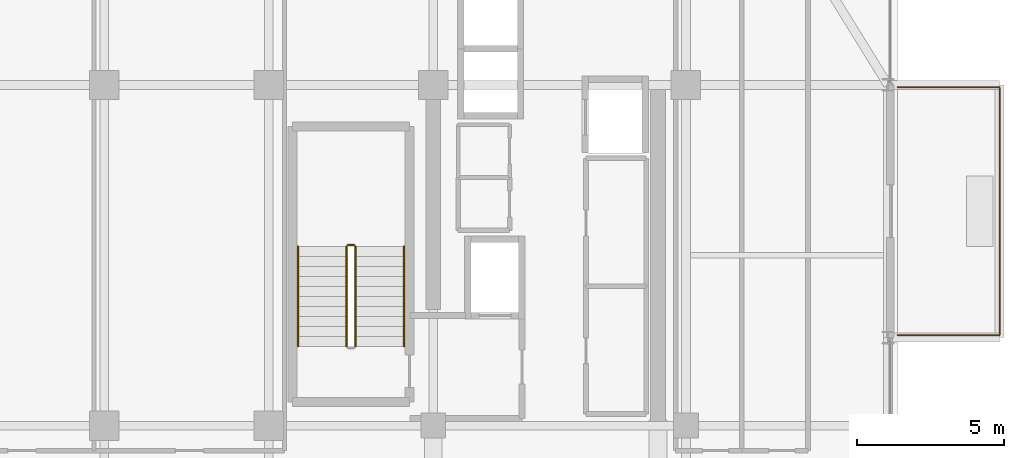
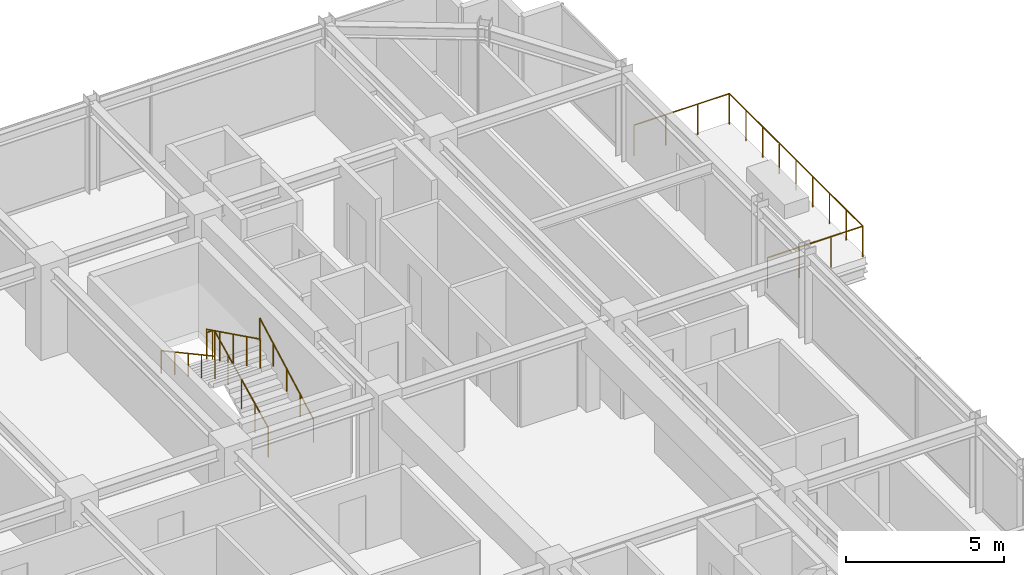
# One storey, part 33 of 34: 6 railings.
"""IFC4 building model written with IfcOpenShell, lengths in metres."""

from ifc_helpers import new_model, si_unit, direction, frame, origin, origin_2d, place, context, subcontext, project, spatial, circle, extrude, material, type_object, element, save


model = new_model("IFC4")

# Units and contexts
model_context = context("Model", 3, precision=1e-05, world=origin(), true_north=direction((0.0, 1.0)))
body_context = subcontext(model_context, "Body", "Model", "MODEL_VIEW")
ifc_project = project(units=[si_unit("LENGTHUNIT", "METRE"), si_unit("AREAUNIT", "SQUARE_METRE"), si_unit("VOLUMEUNIT", "CUBIC_METRE"), si_unit("PLANEANGLEUNIT", "RADIAN"), si_unit("MASSUNIT", "GRAM", prefix="KILO")], contexts=[model_context])

# Site, building, storey
site_placement = place(None, origin())
site = spatial("IfcSite", under=ifc_project, at=site_placement, CompositionType="ELEMENT")
building_placement = place(site_placement, origin())
building = spatial("IfcBuilding", under=site, at=building_placement, Name="Nahalor Promenade Grand Hotel", CompositionType="ELEMENT")
storey_placement = place(building_placement, frame((0.0, 0.0, 208.60009765625)))
storey = spatial("IfcBuildingStorey", under=building, at=storey_placement, Name="L53", CompositionType="ELEMENT", Elevation=208.60009765625)

# Railings
ifc_material_1 = material(Name="Anodised Bronze Aluminium EN AW-6063 T6", Category="aluminium")
railing_type_1 = type_object("IfcRailingType", Name="Bronze Balcony Guardrail 1200 mm", PredefinedType="GUARDRAIL", material=ifc_material_1)
railing_1_placement = place(storey_placement, frame((24.199951171875, 8.47998046875, 0.0)))
element("IfcRailing", 1, at=railing_1_placement, inside=storey, type_object=railing_type_1, Name="L53 Balcony Guardrail 2", PredefinedType="GUARDRAIL", context=body_context, shape_type="SweptSolid", body=[
    extrude(circle(Radius=0.024048, at=origin_2d()), frame((0.0, 0.0, 1.17578125), z_axis=(1.0, 0.0, 0.0), x_axis=(0.0, 1.0, 0.0)), (0.0, 0.0, 1.0), 3.47802734375),
    extrude(circle(Radius=0.024048, at=origin_2d()), frame((3.47998046875, 0.001953125, 1.17578125), z_axis=(0.0, 1.0, 0.0), x_axis=(-1.0, 0.0, 0.0)), (0.0, 0.0, 1.0), 8.43603515625),
    extrude(circle(Radius=0.024048, at=origin_2d()), frame((3.47802734375, 8.43994140625, 1.17578125), z_axis=(-1.0, 0.0, 0.0), x_axis=(0.0, -1.0, 0.0)), (0.0, 0.0, 1.0), 3.47802734375),
    extrude(circle(Radius=0.020996, at=origin_2d()), origin(), (0.0, 0.0, 1.0), 1.14990234375),
    extrude(circle(Radius=0.020996, at=origin_2d()), frame((1.159912109375, 0.0, 0.0)), (0.0, 0.0, 1.0), 1.14990234375),
    extrude(circle(Radius=0.020996, at=origin_2d()), frame((2.320068359375, 0.0, 0.0)), (0.0, 0.0, 1.0), 1.14990234375),
    extrude(circle(Radius=0.020996, at=origin_2d()), frame((3.47998046875, 0.0, 0.0)), (0.0, 0.0, 1.0), 1.14990234375),
    extrude(circle(Radius=0.020996, at=origin_2d()), frame((3.47998046875, 1.054931640625, 0.0)), (0.0, 0.0, 1.0), 1.14990234375),
    extrude(circle(Radius=0.020996, at=origin_2d()), frame((3.47998046875, 2.10986328125, 0.0)), (0.0, 0.0, 1.0), 1.14990234375),
    extrude(circle(Radius=0.020996, at=origin_2d()), frame((3.47998046875, 3.1650390625, 0.0)), (0.0, 0.0, 1.0), 1.14990234375),
    extrude(circle(Radius=0.020996, at=origin_2d()), frame((3.47998046875, 4.219970703125, 0.0)), (0.0, 0.0, 1.0), 1.14990234375),
    extrude(circle(Radius=0.020996, at=origin_2d()), frame((3.47998046875, 5.27490234375, 0.0)), (0.0, 0.0, 1.0), 1.14990234375),
    extrude(circle(Radius=0.020996, at=origin_2d()), frame((3.47998046875, 6.330078125, 0.0)), (0.0, 0.0, 1.0), 1.14990234375),
    extrude(circle(Radius=0.020996, at=origin_2d()), frame((3.47998046875, 7.385009765625, 0.0)), (0.0, 0.0, 1.0), 1.14990234375),
    extrude(circle(Radius=0.020996, at=origin_2d()), frame((3.47998046875, 8.43994140625, 0.0)), (0.0, 0.0, 1.0), 1.14990234375),
    extrude(circle(Radius=0.020996, at=origin_2d()), frame((2.320068359375, 8.43994140625, 0.0)), (0.0, 0.0, 1.0), 1.14990234375),
    extrude(circle(Radius=0.020996, at=origin_2d()), frame((1.159912109375, 8.43994140625, 0.0)), (0.0, 0.0, 1.0), 1.14990234375),
    extrude(circle(Radius=0.020996, at=origin_2d()), frame((0.0, 8.43994140625, 0.0)), (0.0, 0.0, 1.0), 1.14990234375),
])
ifc_material_2 = material(Name="Steel S355JR", Category="steel")
railing_type_2 = type_object("IfcRailingType", Name="Steel Stair Guardrail 1150 mm", PredefinedType="GUARDRAIL", material=ifc_material_2)
railing_2_placement = place(storey_placement, frame((5.75, 8.10009765625, 0.16796875)))
element("IfcRailing", 2, at=railing_2_placement, inside=storey, type_object=railing_type_2, Name="L53 ST1 stair guard 1", PredefinedType="GUARDRAIL", context=body_context, shape_type="SweptSolid", body=[
    extrude(circle(Radius=0.024048, at=origin_2d()), frame((0.0, 0.0, 1.1259765625), z_axis=(0.0, 0.896324230515, 0.443399226197), x_axis=(-1.0, 0.0, 0.0)), (0.0, 0.0, 1.0), 3.793212890625),
    extrude(circle(Radius=0.020996, at=origin_2d()), origin(), (0.0, 0.0, 1.0), 1.099853515625),
    extrude(circle(Radius=0.020996, at=origin_2d()), frame((0.0, 0.85009765625, 0.42041015625)), (0.0, 0.0, 1.0), 1.099853515625),
    extrude(circle(Radius=0.020996, at=origin_2d()), frame((0.0, 1.699951171875, 0.8408203125)), (0.0, 0.0, 1.0), 1.099853515625),
    extrude(circle(Radius=0.020996, at=origin_2d()), frame((0.0, 2.5498046875, 1.261474609375)), (0.0, 0.0, 1.0), 1.099853515625),
    extrude(circle(Radius=0.020996, at=origin_2d()), frame((0.0, 3.39990234375, 1.681884765625)), (0.0, 0.0, 1.0), 1.099853515625),
])
railing_3_placement = place(storey_placement, frame((5.699951171875, 11.550048828125, 1.849853515625)))
element("IfcRailing", 3, at=railing_3_placement, inside=storey, type_object=railing_type_2, Name="L53 ST1 stair guard 2", PredefinedType="GUARDRAIL", context=body_context, shape_type="SweptSolid", body=[
    extrude(circle(Radius=0.024048, at=origin_2d()), frame((0.0, 0.0, 1.1259765625), z_axis=(-1.0, 0.0, 0.0), x_axis=(0.0, -1.0, 0.0)), (0.0, 0.0, 1.0), 0.199951171875),
    extrude(circle(Radius=0.020996, at=origin_2d()), origin(), (0.0, 0.0, 1.0), 1.099853515625),
    extrude(circle(Radius=0.020996, at=origin_2d()), frame((-0.199951171875, 0.0, 0.0)), (0.0, 0.0, 1.0), 1.099853515625),
])
railing_4_placement = place(storey_placement, frame((5.449951171875, 11.5, 2.01806640625)))
element("IfcRailing", 4, at=railing_4_placement, inside=storey, type_object=railing_type_2, Name="L53 ST1 stair guard 3", PredefinedType="GUARDRAIL", context=body_context, shape_type="SweptSolid", body=[
    extrude(circle(Radius=0.024048, at=origin_2d()), frame((0.0, 0.0, 1.1259765625), z_axis=(0.0, -0.896324230515, 0.443399226197), x_axis=(1.0, 0.0, 0.0)), (0.0, 0.0, 1.0), 3.793212890625),
    extrude(circle(Radius=0.020996, at=origin_2d()), origin(), (0.0, 0.0, 1.0), 1.099853515625),
    extrude(circle(Radius=0.020996, at=origin_2d()), frame((0.0, -0.85009765625, 0.42041015625)), (0.0, 0.0, 1.0), 1.099853515625),
    extrude(circle(Radius=0.020996, at=origin_2d()), frame((0.0, -1.699951171875, 0.8408203125)), (0.0, 0.0, 1.0), 1.099853515625),
    extrude(circle(Radius=0.020996, at=origin_2d()), frame((0.0, -2.5498046875, 1.261474609375)), (0.0, 0.0, 1.0), 1.099853515625),
    extrude(circle(Radius=0.020996, at=origin_2d()), frame((0.0, -3.39990234375, 1.681884765625)), (0.0, 0.0, 1.0), 1.099853515625),
])
railing_type_3 = type_object("IfcRailingType", Name="Steel Stair Handrail 900 mm", PredefinedType="HANDRAIL", material=ifc_material_2)
railing_5_placement = place(storey_placement, frame((7.39990234375, 8.10009765625, 0.16796875)))
element("IfcRailing", 5, at=railing_5_placement, inside=storey, type_object=railing_type_3, Name="L53 ST1 stair handrail 1", PredefinedType="HANDRAIL", context=body_context, shape_type="SweptSolid", body=[
    extrude(circle(Radius=0.024048, at=origin_2d()), frame((0.0, 0.0, 0.8759765625), z_axis=(0.0, 0.87837241229, 0.47797688786), x_axis=(-1.0, 0.0, 0.0)), (0.0, 0.0, 1.0), 3.87060546875),
    extrude(circle(Radius=0.020996, at=origin_2d()), origin(), (0.0, 0.0, 1.0), 0.849853515625),
    extrude(circle(Radius=0.020996, at=origin_2d()), frame((0.0, 0.85009765625, 0.46240234375)), (0.0, 0.0, 1.0), 0.849853515625),
    extrude(circle(Radius=0.020996, at=origin_2d()), frame((0.0, 1.699951171875, 0.925048828125)), (0.0, 0.0, 1.0), 0.849853515625),
    extrude(circle(Radius=0.020996, at=origin_2d()), frame((0.0, 2.5498046875, 1.3876953125)), (0.0, 0.0, 1.0), 0.849853515625),
    extrude(circle(Radius=0.020996, at=origin_2d()), frame((0.0, 3.39990234375, 1.85009765625)), (0.0, 0.0, 1.0), 0.849853515625),
])
railing_6_placement = place(storey_placement, frame((3.800048828125, 11.5, 2.01806640625)))
element("IfcRailing", 6, at=railing_6_placement, inside=storey, type_object=railing_type_3, Name="L53 ST1 stair handrail 2", PredefinedType="HANDRAIL", context=body_context, shape_type="SweptSolid", body=[
    extrude(circle(Radius=0.024048, at=origin_2d()), frame((0.0, 0.0, 0.8759765625), z_axis=(0.0, -0.87837241229, 0.47797688786), x_axis=(1.0, 0.0, 0.0)), (0.0, 0.0, 1.0), 3.87060546875),
    extrude(circle(Radius=0.020996, at=origin_2d()), origin(), (0.0, 0.0, 1.0), 0.849853515625),
    extrude(circle(Radius=0.020996, at=origin_2d()), frame((0.0, -0.85009765625, 0.46240234375)), (0.0, 0.0, 1.0), 0.849853515625),
    extrude(circle(Radius=0.020996, at=origin_2d()), frame((0.0, -1.699951171875, 0.925048828125)), (0.0, 0.0, 1.0), 0.849853515625),
    extrude(circle(Radius=0.020996, at=origin_2d()), frame((0.0, -2.5498046875, 1.3876953125)), (0.0, 0.0, 1.0), 0.849853515625),
    extrude(circle(Radius=0.020996, at=origin_2d()), frame((0.0, -3.39990234375, 1.85009765625)), (0.0, 0.0, 1.0), 0.849853515625),
])

save(model, "model.ifc")
